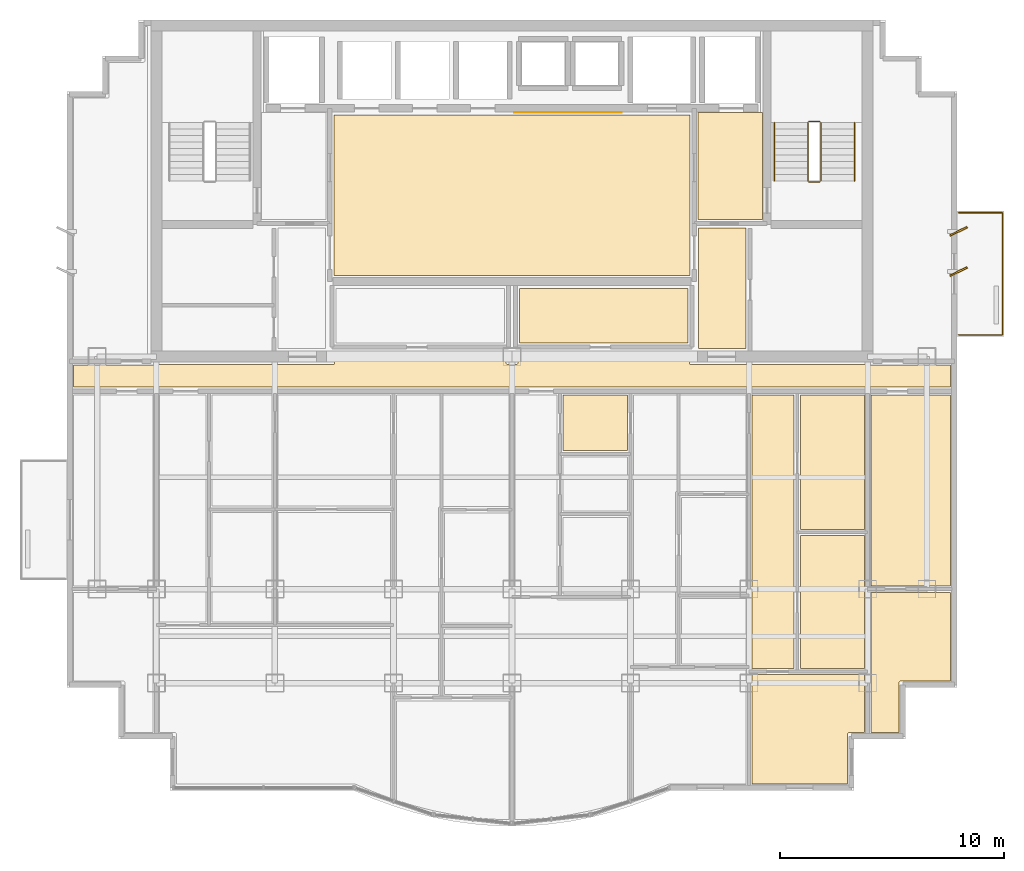
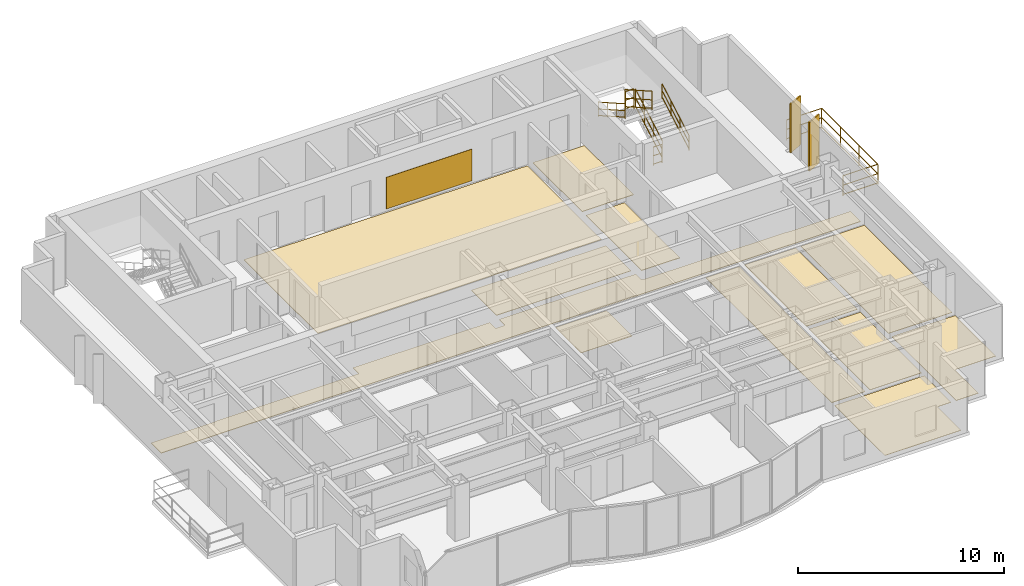
# One storey, part 9 of 9: 13 coverings, 7 railings, 2 shading devices.
"""IFC4 building model written with IfcOpenShell, lengths in metres."""

from ifc_helpers import new_model, si_unit, direction, frame, origin, origin_2d, place, context, subcontext, project, spatial, polyline, rectangle, circle, outline, extrude, source, transform, mapped, material, layer, layer_set, type_object, element, save


model = new_model("IFC4")

# Units and contexts
model_context = context("Model", 3, precision=1e-05, world=origin(), true_north=direction((0.0, 1.0)))
body_context = subcontext(model_context, "Body", "Model", "MODEL_VIEW")
ifc_project = project(units=[si_unit("LENGTHUNIT", "METRE"), si_unit("AREAUNIT", "SQUARE_METRE"), si_unit("VOLUMEUNIT", "CUBIC_METRE"), si_unit("PLANEANGLEUNIT", "RADIAN"), si_unit("MASSUNIT", "GRAM", prefix="KILO")], contexts=[model_context])

# Site, building, storey
site_placement = place(None, origin())
site = spatial("IfcSite", under=ifc_project, at=site_placement, CompositionType="ELEMENT")
building_placement = place(site_placement, origin())
building = spatial("IfcBuilding", under=site, at=building_placement, Name="Qianlan Lanfeng Residences", CompositionType="ELEMENT")
storey_placement = place(building_placement, frame((0.0, 0.0, 209.89990234375)))
storey = spatial("IfcBuildingStorey", under=building, at=storey_placement, Name="L57", CompositionType="ELEMENT", Elevation=209.89990234375)

# Coverings
ifc_material_1 = material(Name="Anodised Bronze Feature Wall Cladding")
ifc_layer_1 = layer(ifc_material_1, 0.02490234375)
ifc_layer_set_1 = layer_set([ifc_layer_1], Name="Anodised Bronze Feature Wall Cladding")
covering_type_1 = type_object("IfcCoveringType", Name="CLD-BRZ-25", PredefinedType="CLADDING", material=ifc_layer_set_1)
covering_1_placement = place(storey_placement, frame((0.0, 0.0, 0.150146484375)))
element("IfcCovering", 1, at=covering_1_placement, inside=storey, type_object=covering_type_1, Name="L57 Lift Lobby Bronze Feature Cladding", PredefinedType="CLADDING", context=body_context, shape_type="SweptSolid", body=[
    extrude(outline(polyline([(26.60009765625, 36.10009765625), (31.39990234375, 36.10009765625), (31.39990234375, 36.125), (26.60009765625, 36.125), (26.60009765625, 36.10009765625)])), origin(), (0.0, 0.0, 1.0), 1.8798828125),
])
ifc_material_2 = material(Name="Honed Taitung Granite Stone Flooring", Category="masonry")
ifc_layer_2 = layer(ifc_material_2, 0.030029296875)
ifc_layer_set_2 = layer_set([ifc_layer_2], Name="Honed Taitung Granite Stone Flooring")
covering_type_2 = type_object("IfcCoveringType", Name="FLR-STN-30", PredefinedType="FLOORING", material=ifc_layer_set_2)
covering_2_placement = place(storey_placement, origin())
element("IfcCovering", 2, at=covering_2_placement, inside=storey, type_object=covering_type_2, Name="L57 Firefighting Lift Lobby Floor Finish", PredefinedType="FLOORING", context=body_context, shape_type="SweptSolid", body=[
    extrude(outline(polyline([(34.820068359375, 31.320068359375), (37.7099609375, 31.320068359375), (37.7099609375, 36.110107421875), (34.820068359375, 36.110107421875), (34.820068359375, 31.320068359375)])), origin(), (0.0, 0.0, 1.0), 0.030029296875),
])
covering_3_placement = place(storey_placement, origin())
element("IfcCovering", 3, at=covering_3_placement, inside=storey, type_object=covering_type_2, Name="L57 Lift Lobby Floor Finish", PredefinedType="FLOORING", context=body_context, shape_type="SweptSolid", body=[
    extrude(outline(polyline([(18.550048828125, 28.820068359375), (34.449951171875, 28.820068359375), (34.449951171875, 36.010009765625), (18.550048828125, 36.010009765625), (18.550048828125, 28.820068359375)])), origin(), (0.0, 0.0, 1.0), 0.030029296875),
])
covering_4_placement = place(storey_placement, origin())
element("IfcCovering", 4, at=covering_4_placement, inside=storey, type_object=covering_type_2, Name="L57 Residential Corridor Floor Finish", PredefinedType="FLOORING", context=body_context, shape_type="SweptSolid", body=[
    extrude(outline(polyline([(6.889892578125, 23.830078125), (46.110107421875, 23.830078125), (46.110107421875, 24.820068359375), (42.5400390625, 24.820068359375), (42.532958984375, 24.820068359375), (42.52587890625, 24.821044921875), (42.52001953125, 24.822998046875), (42.512939453125, 24.824951171875), (42.507080078125, 24.827880859375), (42.5009765625, 24.83203125), (42.49609375, 24.8359375), (42.490966796875, 24.841064453125), (42.486083984375, 24.845947265625), (42.48291015625, 24.85009765625), (34.5, 24.85009765625), (34.492919921875, 24.85009765625), (34.486083984375, 24.85107421875), (34.47998046875, 24.85302734375), (34.472900390625, 24.85498046875), (34.467041015625, 24.85791015625), (34.4609375, 24.862060546875), (34.4560546875, 24.865966796875), (34.450927734375, 24.87109375), (34.446044921875, 24.8759765625), (34.44189453125, 24.881103515625), (34.43798828125, 24.886962890625), (34.43505859375, 24.89306640625), (34.43310546875, 24.89990234375), (34.430908203125, 24.906005859375), (34.429931640625, 24.9130859375), (34.429931640625, 24.919921875), (34.429931640625, 25.429931640625), (26.77001953125, 25.429931640625), (26.77001953125, 24.919921875), (26.77001953125, 24.9130859375), (26.76904296875, 24.906005859375), (26.76708984375, 24.89990234375), (26.764892578125, 24.89306640625), (26.761962890625, 24.886962890625), (26.758056640625, 24.881103515625), (26.75390625, 24.8759765625), (26.7490234375, 24.87109375), (26.743896484375, 24.865966796875), (26.739013671875, 24.862060546875), (26.73291015625, 24.85791015625), (26.72705078125, 24.85498046875), (26.719970703125, 24.85302734375), (26.714111328125, 24.85107421875), (26.70703125, 24.85009765625), (26.699951171875, 24.85009765625), (26.300048828125, 24.85009765625), (26.29296875, 24.85009765625), (26.285888671875, 24.85107421875), (26.280029296875, 24.85302734375), (26.27294921875, 24.85498046875), (26.26708984375, 24.85791015625), (26.260986328125, 24.862060546875), (26.256103515625, 24.865966796875), (26.2509765625, 24.87109375), (26.24609375, 24.8759765625), (26.241943359375, 24.881103515625), (26.238037109375, 24.886962890625), (26.235107421875, 24.89306640625), (26.23291015625, 24.89990234375), (26.23095703125, 24.906005859375), (26.22998046875, 24.9130859375), (26.22998046875, 24.919921875), (26.22998046875, 25.429931640625), (18.570068359375, 25.429931640625), (18.570068359375, 24.919921875), (18.570068359375, 24.9130859375), (18.569091796875, 24.906005859375), (18.56689453125, 24.89990234375), (18.56494140625, 24.89306640625), (18.56201171875, 24.886962890625), (18.55810546875, 24.881103515625), (18.553955078125, 24.8759765625), (18.549072265625, 24.87109375), (18.5439453125, 24.865966796875), (18.5390625, 24.862060546875), (18.532958984375, 24.85791015625), (18.527099609375, 24.85498046875), (18.52001953125, 24.85302734375), (18.513916015625, 24.85107421875), (18.507080078125, 24.85009765625), (18.5, 24.85009765625), (10.51708984375, 24.85009765625), (10.513916015625, 24.845947265625), (10.509033203125, 24.841064453125), (10.50390625, 24.8359375), (10.4990234375, 24.83203125), (10.492919921875, 24.827880859375), (10.487060546875, 24.824951171875), (10.47998046875, 24.822998046875), (10.47412109375, 24.821044921875), (10.467041015625, 24.820068359375), (10.4599609375, 24.820068359375), (6.889892578125, 24.820068359375), (6.889892578125, 23.830078125)])), origin(), (0.0, 0.0, 1.0), 0.030029296875),
])
covering_5_placement = place(storey_placement, origin())
element("IfcCovering", 5, at=covering_5_placement, inside=storey, type_object=covering_type_2, Name="L57 Lift Lobby Floor Finish", PredefinedType="FLOORING", context=body_context, shape_type="SweptSolid", body=[
    extrude(outline(polyline([(34.830078125, 25.56005859375), (36.969970703125, 25.56005859375), (36.969970703125, 30.949951171875), (34.830078125, 30.949951171875), (34.830078125, 25.56005859375)])), origin(), (0.0, 0.0, 1.0), 0.030029296875),
])
ifc_material_3 = material(Name="Slip-Resistant Porcelain Tile Flooring")
ifc_layer_3 = layer(ifc_material_3, 0.02001953125)
ifc_layer_set_3 = layer_set([ifc_layer_3], Name="Slip-Resistant Porcelain Tile Flooring")
covering_type_3 = type_object("IfcCoveringType", Name="FLR-TIL-20", PredefinedType="FLOORING", material=ifc_layer_set_3)
covering_6_placement = place(storey_placement, origin())
element("IfcCovering", 6, at=covering_6_placement, inside=storey, type_object=covering_type_3, Name="L57 Bathroom Floor Finish", PredefinedType="FLOORING", context=body_context, shape_type="SweptSolid", body=[
    extrude(outline(polyline([(28.7900390625, 20.989990234375), (31.659912109375, 20.989990234375), (31.659912109375, 23.47998046875), (28.7900390625, 23.47998046875), (28.7900390625, 20.989990234375)])), origin(), (0.0, 0.0, 1.0), 0.02001953125),
])
ifc_material_4 = material(Name="Engineered Smoked Oak Timber Flooring", Category="wood")
ifc_layer_4 = layer(ifc_material_4, 0.02197265625)
ifc_layer_set_4 = layer_set([ifc_layer_4], Name="Engineered Smoked Oak Timber Flooring")
covering_type_4 = type_object("IfcCoveringType", Name="FLR-TIM-22", PredefinedType="FLOORING", material=ifc_layer_set_4)
covering_7_placement = place(storey_placement, origin())
element("IfcCovering", 7, at=covering_7_placement, inside=storey, type_object=covering_type_4, Name="L57 Tea Room Floor Finish", PredefinedType="FLOORING", context=body_context, shape_type="SweptSolid", body=[
    extrude(outline(polyline([(26.830078125, 25.800048828125), (34.3701171875, 25.800048828125), (34.3701171875, 28.2548828125), (26.830078125, 28.2548828125), (26.830078125, 25.800048828125)])), origin(), (0.0, 0.0, 1.0), 0.022216796875),
])
covering_8_placement = place(storey_placement, origin())
element("IfcCovering", 8, at=covering_8_placement, inside=storey, type_object=covering_type_4, Name="L57 Bedroom Floor Finish", PredefinedType="FLOORING", context=body_context, shape_type="SweptSolid", body=[
    extrude(outline(polyline([(37.22998046875, 10.97998046875), (37.22998046875, 6.090087890625), (41.510009765625, 6.090087890625), (41.510009765625, 8.320068359375), (41.510009765625, 8.326904296875), (41.510986328125, 8.333984375), (41.512939453125, 8.340087890625), (41.514892578125, 8.346923828125), (41.51806640625, 8.35302734375), (41.52197265625, 8.35888671875), (41.52587890625, 8.364013671875), (41.531005859375, 8.368896484375), (41.535888671875, 8.3740234375), (41.541015625, 8.3779296875), (41.547119140625, 8.382080078125), (41.552978515625, 8.385009765625), (41.56005859375, 8.386962890625), (41.56591796875, 8.388916015625), (41.572998046875, 8.389892578125), (41.580078125, 8.389892578125), (42.27001953125, 8.389892578125), (42.27001953125, 10.97998046875), (37.22998046875, 10.97998046875)])), origin(), (0.0, 0.0, 1.0), 0.022216796875),
])
covering_9_placement = place(storey_placement, origin())
element("IfcCovering", 9, at=covering_9_placement, inside=storey, type_object=covering_type_4, Name="L57 Private Study Floor Finish", PredefinedType="FLOORING", context=body_context, shape_type="SweptSolid", body=[
    extrude(outline(polyline([(39.389892578125, 11.260009765625), (42.27001953125, 11.260009765625), (42.27001953125, 17.195068359375), (39.389892578125, 17.195068359375), (39.389892578125, 11.260009765625)])), origin(), (0.0, 0.0, 1.0), 0.022216796875),
])
covering_10_placement = place(storey_placement, origin())
element("IfcCovering", 10, at=covering_10_placement, inside=storey, type_object=covering_type_4, Name="L57 Yoga Studio Floor Finish", PredefinedType="FLOORING", context=body_context, shape_type="SweptSolid", body=[
    extrude(outline(polyline([(39.389892578125, 17.47509765625), (42.27001953125, 17.47509765625), (42.27001953125, 23.47998046875), (39.389892578125, 23.47998046875), (39.389892578125, 17.47509765625)])), origin(), (0.0, 0.0, 1.0), 0.022216796875),
])
covering_11_placement = place(storey_placement, origin())
element("IfcCovering", 11, at=covering_11_placement, inside=storey, type_object=covering_type_4, Name="L57 Home Office Floor Finish", PredefinedType="FLOORING", context=body_context, shape_type="SweptSolid", body=[
    extrude(outline(polyline([(37.22998046875, 11.260009765625), (39.110107421875, 11.260009765625), (39.110107421875, 23.47998046875), (37.22998046875, 23.47998046875), (37.22998046875, 11.260009765625)])), origin(), (0.0, 0.0, 1.0), 0.022216796875),
])
covering_12_placement = place(storey_placement, origin())
element("IfcCovering", 12, at=covering_12_placement, inside=storey, type_object=covering_type_4, Name="L57 Sunroom Floor Finish", PredefinedType="FLOORING", context=body_context, shape_type="SweptSolid", body=[
    extrude(outline(polyline([(46.110107421875, 14.64990234375), (42.56005859375, 14.64990234375), (42.56005859375, 8.389892578125), (43.81005859375, 8.389892578125), (43.81005859375, 10.6201171875), (43.81005859375, 10.626953125), (43.81103515625, 10.634033203125), (43.81298828125, 10.639892578125), (43.81494140625, 10.64697265625), (43.818115234375, 10.653076171875), (43.822021484375, 10.658935546875), (43.825927734375, 10.6640625), (43.8310546875, 10.6689453125), (43.8359375, 10.674072265625), (43.841064453125, 10.677978515625), (43.846923828125, 10.681884765625), (43.85302734375, 10.68505859375), (43.860107421875, 10.68701171875), (43.865966796875, 10.68896484375), (43.873046875, 10.68994140625), (43.8798828125, 10.68994140625), (46.110107421875, 10.68994140625), (46.110107421875, 14.64990234375)])), origin(), (0.0, 0.0, 1.0), 0.022216796875),
])
covering_13_placement = place(storey_placement, origin())
element("IfcCovering", 13, at=covering_13_placement, inside=storey, type_object=covering_type_4, Name="L57 Private Study Floor Finish", PredefinedType="FLOORING", context=body_context, shape_type="SweptSolid", body=[
    extrude(outline(polyline([(46.110107421875, 23.47998046875), (42.56005859375, 23.47998046875), (42.56005859375, 14.949951171875), (46.110107421875, 14.949951171875), (46.110107421875, 23.47998046875)])), origin(), (0.0, 0.0, 1.0), 0.022216796875),
])

# Railings
ifc_material_5 = material(Name="Anodised Bronze Aluminium and Laminated Glass Guard Balustrade", Category="aluminium")
railing_type_1 = type_object("IfcRailingType", Name="GR-EXT-1220", PredefinedType="BALUSTRADE", material=ifc_material_5)
railing_1_placement = place(storey_placement, frame((46.469970703125, 31.6298828125, 0.0)))
element("IfcRailing", 14, at=railing_1_placement, inside=storey, type_object=railing_type_1, Name="L57 Terrace Safety Guard GR-L57-EB-N", PredefinedType="BALUSTRADE", context=body_context, shape_type="SweptSolid", body=[
    extrude(circle(Radius=0.02490234375, at=origin_2d()), frame((0.0, 0.0, 0.0849609375), z_axis=(1.0, 0.0, 0.0), x_axis=(0.0, 1.0, 0.0)), (0.0, 0.0, 1.0), 1.9599609375),
    extrude(circle(Radius=0.02490234375, at=origin_2d()), frame((0.0, 0.0, 0.63427734375), z_axis=(1.0, 0.0, 0.0), x_axis=(0.0, 1.0, 0.0)), (0.0, 0.0, 1.0), 1.9599609375),
    extrude(circle(Radius=0.02490234375, at=origin_2d()), frame((0.0, 0.0, 1.19482421875), z_axis=(1.0, 0.0, 0.0), x_axis=(0.0, 1.0, 0.0)), (0.0, 0.0, 1.0), 1.9599609375),
    extrude(circle(Radius=0.02490234375, at=origin_2d()), frame((1.9599609375, 0.0, 0.0849609375), z_axis=(0.0, -1.0, 0.0), x_axis=(1.0, 0.0, 0.0)), (0.0, 0.0, 1.0), 5.4599609375),
    extrude(circle(Radius=0.02490234375, at=origin_2d()), frame((1.9599609375, 0.0, 0.63427734375), z_axis=(0.0, -1.0, 0.0), x_axis=(1.0, 0.0, 0.0)), (0.0, 0.0, 1.0), 5.4599609375),
    extrude(circle(Radius=0.02490234375, at=origin_2d()), frame((1.9599609375, 0.0, 1.19482421875), z_axis=(0.0, -1.0, 0.0), x_axis=(1.0, 0.0, 0.0)), (0.0, 0.0, 1.0), 5.4599609375),
    extrude(circle(Radius=0.02490234375, at=origin_2d()), frame((1.9599609375, -5.4599609375, 0.0849609375), z_axis=(-1.0, 0.0, 0.0), x_axis=(0.0, -1.0, 0.0)), (0.0, 0.0, 1.0), 1.9599609375),
    extrude(circle(Radius=0.02490234375, at=origin_2d()), frame((1.9599609375, -5.4599609375, 0.63427734375), z_axis=(-1.0, 0.0, 0.0), x_axis=(0.0, -1.0, 0.0)), (0.0, 0.0, 1.0), 1.9599609375),
    extrude(circle(Radius=0.02490234375, at=origin_2d()), frame((1.9599609375, -5.4599609375, 1.19482421875), z_axis=(-1.0, 0.0, 0.0), x_axis=(0.0, -1.0, 0.0)), (0.0, 0.0, 1.0), 1.9599609375),
    extrude(circle(Radius=0.02099609375, at=origin_2d()), origin(), (0.0, 0.0, 1.0), 1.169921875),
    extrude(circle(Radius=0.02099609375, at=origin_2d()), frame((1.9599609375, 0.0, 0.0)), (0.0, 0.0, 1.0), 1.169921875),
    extrude(circle(Radius=0.02099609375, at=origin_2d()), frame((1.9599609375, -1.820068359375, 0.0)), (0.0, 0.0, 1.0), 1.169921875),
    extrude(circle(Radius=0.02099609375, at=origin_2d()), frame((1.9599609375, -3.639892578125, 0.0)), (0.0, 0.0, 1.0), 1.169921875),
    extrude(circle(Radius=0.02099609375, at=origin_2d()), frame((1.9599609375, -5.4599609375, 0.0)), (0.0, 0.0, 1.0), 1.169921875),
    extrude(circle(Radius=0.02099609375, at=origin_2d()), frame((0.0, -5.4599609375, 0.0)), (0.0, 0.0, 1.0), 1.169921875),
])
ifc_material_6 = material(Name="Painted Galvanised Steel Guardrail", Category="steel")
railing_type_2 = type_object("IfcRailingType", Name="GR-ST-1120", PredefinedType="GUARDRAIL", material=ifc_material_6)
railing_2_placement = place(storey_placement, frame((40.31005859375, 33.050048828125, 0.1650390625)))
element("IfcRailing", 15, at=railing_2_placement, inside=storey, type_object=railing_type_2, Name="L57 ST-2 stair guard 1", PredefinedType="GUARDRAIL", context=body_context, shape_type="SweptSolid", body=[
    extrude(circle(Radius=0.02392578125, at=origin_2d()), frame((0.0, 0.0, 0.083984375), z_axis=(0.0, 0.869137319866, 0.494570843475), x_axis=(-1.0, 0.0, 0.0)), (0.0, 0.0, 1.0), 3.0029296875),
    extrude(circle(Radius=0.02392578125, at=origin_2d()), frame((0.0, 0.0, 0.58251953125), z_axis=(0.0, 0.869137319866, 0.494570843475), x_axis=(-1.0, 0.0, 0.0)), (0.0, 0.0, 1.0), 3.0029296875),
    extrude(circle(Radius=0.02392578125, at=origin_2d()), frame((0.0, 0.0, 1.09619140625), z_axis=(0.0, 0.869137319866, 0.494570843475), x_axis=(-1.0, 0.0, 0.0)), (0.0, 0.0, 1.0), 3.0029296875),
    extrude(circle(Radius=0.02099609375, at=origin_2d()), origin(), (0.0, 0.0, 1.0), 1.072021484375),
    extrude(circle(Radius=0.02099609375, at=origin_2d()), frame((0.0, 0.869873046875, 0.4951171875)), (0.0, 0.0, 1.0), 1.072021484375),
    extrude(circle(Radius=0.02099609375, at=origin_2d()), frame((0.0, 1.739990234375, 0.989990234375)), (0.0, 0.0, 1.0), 1.072021484375),
    extrude(circle(Radius=0.02099609375, at=origin_2d()), frame((0.0, 2.60986328125, 1.485107421875)), (0.0, 0.0, 1.0), 1.072021484375),
])
railing_3_placement = place(storey_placement, frame((40.260009765625, 35.7099609375, 1.650146484375)))
element("IfcRailing", 16, at=railing_3_placement, inside=storey, type_object=railing_type_2, Name="L57 ST-2 stair guard 2", PredefinedType="GUARDRAIL", context=body_context, shape_type="SweptSolid", body=[
    extrude(circle(Radius=0.02392578125, at=origin_2d()), frame((0.0, 0.0, 0.083984375), z_axis=(-1.0, 0.0, 0.0), x_axis=(0.0, -1.0, 0.0)), (0.0, 0.0, 1.0), 0.47998046875),
    extrude(circle(Radius=0.02392578125, at=origin_2d()), frame((0.0, 0.0, 0.58251953125), z_axis=(-1.0, 0.0, 0.0), x_axis=(0.0, -1.0, 0.0)), (0.0, 0.0, 1.0), 0.47998046875),
    extrude(circle(Radius=0.02392578125, at=origin_2d()), frame((0.0, 0.0, 1.09619140625), z_axis=(-1.0, 0.0, 0.0), x_axis=(0.0, -1.0, 0.0)), (0.0, 0.0, 1.0), 0.47998046875),
    extrude(circle(Radius=0.02099609375, at=origin_2d()), origin(), (0.0, 0.0, 1.0), 1.072021484375),
    extrude(circle(Radius=0.02099609375, at=origin_2d()), frame((-0.47998046875, 0.0, 0.0)), (0.0, 0.0, 1.0), 1.072021484375),
])
railing_4_placement = place(storey_placement, frame((39.72998046875, 35.659912109375, 1.815185546875)))
element("IfcRailing", 17, at=railing_4_placement, inside=storey, type_object=railing_type_2, Name="L57 ST-2 stair guard 3", PredefinedType="GUARDRAIL", context=body_context, shape_type="SweptSolid", body=[
    extrude(circle(Radius=0.02392578125, at=origin_2d()), frame((0.0, 0.0, 0.083984375), z_axis=(0.0, -0.869172267526, 0.494509422927), x_axis=(1.0, 0.0, 0.0)), (0.0, 0.0, 1.0), 3.002685546875),
    extrude(circle(Radius=0.02392578125, at=origin_2d()), frame((0.0, 0.0, 0.58251953125), z_axis=(0.0, -0.869172267526, 0.494509422927), x_axis=(1.0, 0.0, 0.0)), (0.0, 0.0, 1.0), 3.002685546875),
    extrude(circle(Radius=0.02392578125, at=origin_2d()), frame((0.0, 0.0, 1.09619140625), z_axis=(0.0, -0.869172267526, 0.494509422927), x_axis=(1.0, 0.0, 0.0)), (0.0, 0.0, 1.0), 3.002685546875),
    extrude(circle(Radius=0.02099609375, at=origin_2d()), origin(), (0.0, 0.0, 1.0), 1.072021484375),
    extrude(circle(Radius=0.02099609375, at=origin_2d()), frame((0.0, -0.869873046875, 0.494873046875)), (0.0, 0.0, 1.0), 1.072021484375),
    extrude(circle(Radius=0.02099609375, at=origin_2d()), frame((0.0, -1.739990234375, 0.989990234375)), (0.0, 0.0, 1.0), 1.072021484375),
    extrude(circle(Radius=0.02099609375, at=origin_2d()), frame((0.0, -2.60986328125, 1.48486328125)), (0.0, 0.0, 1.0), 1.072021484375),
])
railing_5_placement = place(storey_placement, frame((40.260009765625, 33.0, 0.0)))
element("IfcRailing", 18, at=railing_5_placement, inside=storey, type_object=railing_type_2, Name="L57 ST-2 stair guard 4", PredefinedType="GUARDRAIL", context=body_context, shape_type="SweptSolid", body=[
    extrude(circle(Radius=0.02392578125, at=origin_2d()), frame((0.0, 0.0, 0.083984375), z_axis=(-1.0, 0.0, 0.0), x_axis=(0.0, -1.0, 0.0)), (0.0, 0.0, 1.0), 0.47998046875),
    extrude(circle(Radius=0.02392578125, at=origin_2d()), frame((0.0, 0.0, 0.58251953125), z_axis=(-1.0, 0.0, 0.0), x_axis=(0.0, -1.0, 0.0)), (0.0, 0.0, 1.0), 0.47998046875),
    extrude(circle(Radius=0.02392578125, at=origin_2d()), frame((0.0, 0.0, 1.09619140625), z_axis=(-1.0, 0.0, 0.0), x_axis=(0.0, -1.0, 0.0)), (0.0, 0.0, 1.0), 0.47998046875),
    extrude(circle(Radius=0.02099609375, at=origin_2d()), origin(), (0.0, 0.0, 1.0), 1.072021484375),
    extrude(circle(Radius=0.02099609375, at=origin_2d()), frame((-0.47998046875, 0.0, 0.0)), (0.0, 0.0, 1.0), 1.072021484375),
])
ifc_material_7 = material(Name="Brushed Stainless Steel Handrail", Category="steel")
railing_type_3 = type_object("IfcRailingType", Name="HR-ST-920", PredefinedType="HANDRAIL", material=ifc_material_7)
railing_6_placement = place(storey_placement, frame((41.81005859375, 33.050048828125, 0.1650390625)))
element("IfcRailing", 19, at=railing_6_placement, inside=storey, type_object=railing_type_3, Name="L57 ST-2 stair handrail 1", PredefinedType="HANDRAIL", context=body_context, shape_type="SweptSolid", body=[
    extrude(circle(Radius=0.02392578125, at=origin_2d()), frame((0.0, 0.0, 0.083984375), z_axis=(0.0, 0.869137319866, 0.494570843475), x_axis=(-1.0, 0.0, 0.0)), (0.0, 0.0, 1.0), 3.0029296875),
    extrude(circle(Radius=0.02392578125, at=origin_2d()), frame((0.0, 0.0, 0.468017578125), z_axis=(0.0, 0.869137319866, 0.494570843475), x_axis=(-1.0, 0.0, 0.0)), (0.0, 0.0, 1.0), 3.0029296875),
    extrude(circle(Radius=0.02392578125, at=origin_2d()), frame((0.0, 0.0, 0.8759765625), z_axis=(0.0, 0.869137319866, 0.494570843475), x_axis=(-1.0, 0.0, 0.0)), (0.0, 0.0, 1.0), 3.0029296875),
    extrude(circle(Radius=0.02099609375, at=origin_2d()), origin(), (0.0, 0.0, 1.0), 0.851806640625),
    extrude(circle(Radius=0.02099609375, at=origin_2d()), frame((0.0, 0.869873046875, 0.4951171875)), (0.0, 0.0, 1.0), 0.851806640625),
    extrude(circle(Radius=0.02099609375, at=origin_2d()), frame((0.0, 1.739990234375, 0.989990234375)), (0.0, 0.0, 1.0), 0.851806640625),
    extrude(circle(Radius=0.02099609375, at=origin_2d()), frame((0.0, 2.60986328125, 1.485107421875)), (0.0, 0.0, 1.0), 0.851806640625),
])
railing_7_placement = place(storey_placement, frame((38.22998046875, 35.659912109375, 1.815185546875)))
element("IfcRailing", 20, at=railing_7_placement, inside=storey, type_object=railing_type_3, Name="L57 ST-2 stair handrail 2", PredefinedType="HANDRAIL", context=body_context, shape_type="SweptSolid", body=[
    extrude(circle(Radius=0.02392578125, at=origin_2d()), frame((0.0, 0.0, 0.083984375), z_axis=(0.0, -0.869172267526, 0.494509422927), x_axis=(1.0, 0.0, 0.0)), (0.0, 0.0, 1.0), 3.002685546875),
    extrude(circle(Radius=0.02392578125, at=origin_2d()), frame((0.0, 0.0, 0.468017578125), z_axis=(0.0, -0.869172267526, 0.494509422927), x_axis=(1.0, 0.0, 0.0)), (0.0, 0.0, 1.0), 3.002685546875),
    extrude(circle(Radius=0.02392578125, at=origin_2d()), frame((0.0, 0.0, 0.8759765625), z_axis=(0.0, -0.869172267526, 0.494509422927), x_axis=(1.0, 0.0, 0.0)), (0.0, 0.0, 1.0), 3.002685546875),
    extrude(circle(Radius=0.02099609375, at=origin_2d()), origin(), (0.0, 0.0, 1.0), 0.851806640625),
    extrude(circle(Radius=0.02099609375, at=origin_2d()), frame((0.0, -0.869873046875, 0.494873046875)), (0.0, 0.0, 1.0), 0.851806640625),
    extrude(circle(Radius=0.02099609375, at=origin_2d()), frame((0.0, -1.739990234375, 0.989990234375)), (0.0, 0.0, 1.0), 0.851806640625),
    extrude(circle(Radius=0.02099609375, at=origin_2d()), frame((0.0, -2.60986328125, 1.48486328125)), (0.0, 0.0, 1.0), 0.851806640625),
])

# Shading devices
ifc_material_8 = material(Name="Anodised Bronze Aluminium Solar Fin", Category="aluminium")
shading_device_type = type_object("IfcShadingDeviceType", Name="FIN-BRZ-850", PredefinedType="SHUTTER", material=ifc_material_8)
shared_shape = source(origin(), body_context, "Body", "SweptSolid", [
    extrude(rectangle(XDim=0.85009765625, YDim=0.080078125, at=origin_2d()), origin(), (0.0, 0.0, 1.0), 2.89990234375),
])
for number, where, z_axis, x_axis, name in (
    (21, (46.469970703125, 29.0, 0.000244140625), (0.0, 0.0, 1.0), (0.898794046299, 0.438371146789, 0.0), "L57 Raked Bronze Solar Fin E1"),
    (22, (46.469970703125, 30.800048828125, 0.000244140625), (0.0, 0.0, 1.0), (0.898794046299, 0.438371146789, 0.0), "L57 Raked Bronze Solar Fin E2"),
):
    element("IfcShadingDevice", number, at=place(storey_placement, frame(where, z_axis=z_axis, x_axis=x_axis)), inside=storey, type_object=shading_device_type, Name=name, PredefinedType="SHUTTER", context=body_context, shape_type="MappedRepresentation", body=[
        mapped(shared_shape, transform((0.0, 0.0, 0.0), scale=1.0)),
    ])

save(model, "model.ifc")
